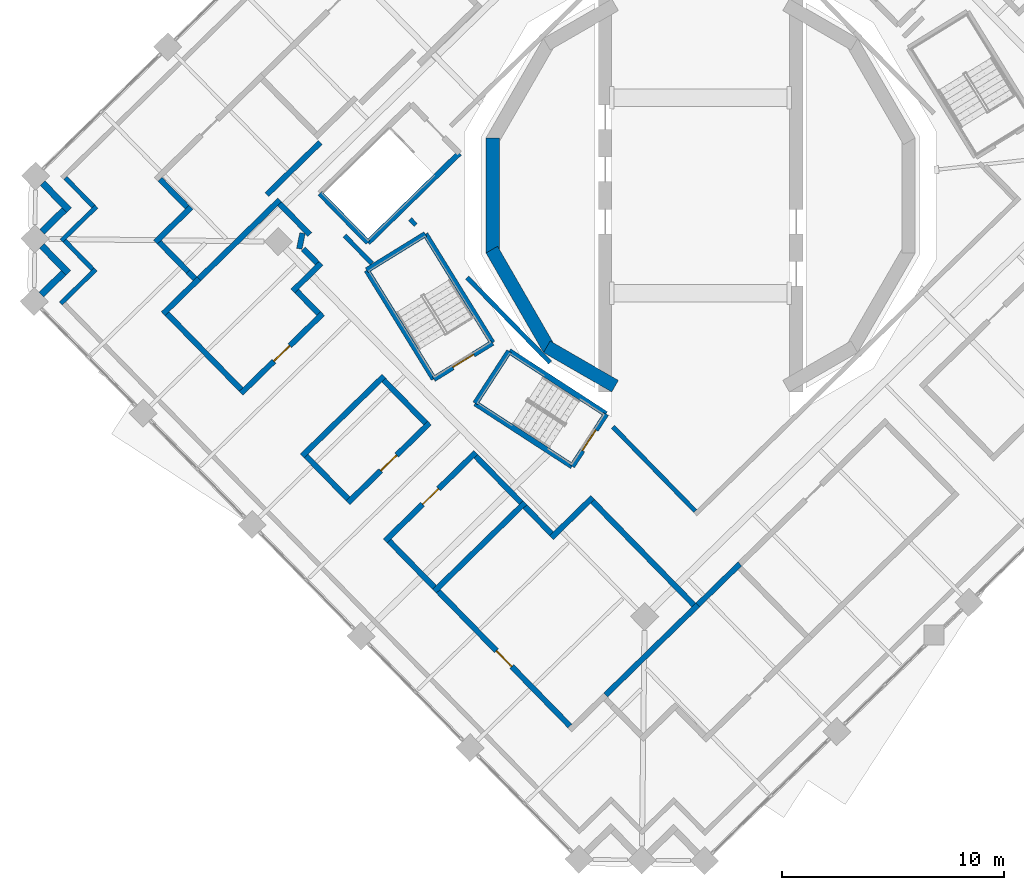
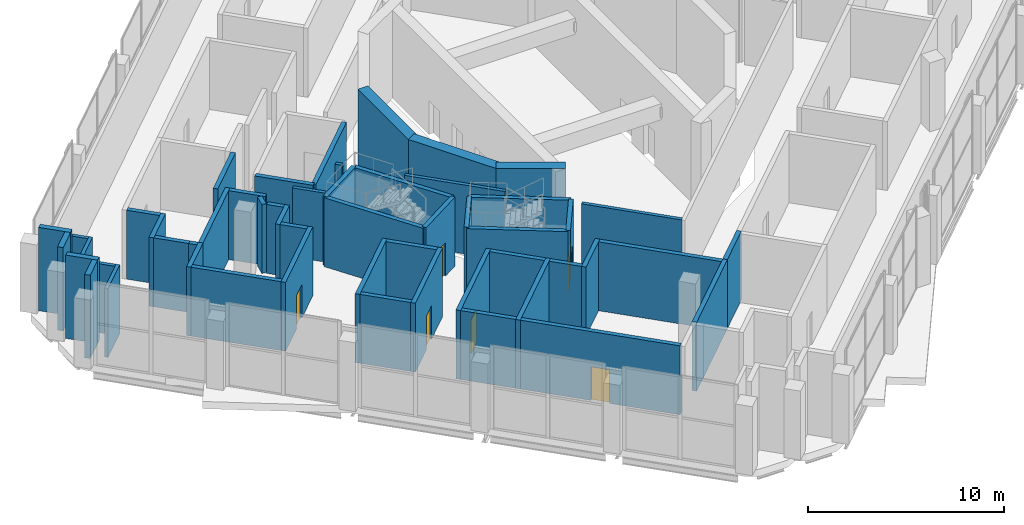
# One storey, part 13 of 20: 53 walls, 6 doors, 6 openings.
"""IFC4 building model written with IfcOpenShell, lengths in metres."""

from ifc_helpers import new_model, si_unit, direction, frame, frame_2d, origin, place, context, subcontext, project, spatial, rectangle, extrude, material, layer, layer_set, type_object, element, fill, save


model = new_model("IFC4")

# Units and contexts
model_context = context("Model", 3, precision=1e-05, world=origin(), true_north=direction((0.0, 1.0)))
body_context = subcontext(model_context, "Body", "Model", "MODEL_VIEW")
ifc_project = project(units=[si_unit("LENGTHUNIT", "METRE"), si_unit("AREAUNIT", "SQUARE_METRE"), si_unit("VOLUMEUNIT", "CUBIC_METRE"), si_unit("PLANEANGLEUNIT", "RADIAN"), si_unit("MASSUNIT", "GRAM", prefix="KILO")], contexts=[model_context])

# Site, building, storey
site_placement = place(None, origin())
site = spatial("IfcSite", under=ifc_project, at=site_placement, CompositionType="ELEMENT")
building_placement = place(site_placement, origin())
building = spatial("IfcBuilding", under=site, at=building_placement, Name="Cantera Rosa Tower", CompositionType="ELEMENT")
storey_placement = place(building_placement, frame((0.0, 0.0, 245.0)))
storey = spatial("IfcBuildingStorey", under=building, at=storey_placement, Name="L54", CompositionType="ELEMENT", Elevation=245.0)

# Walls
ifc_material_1 = material(Name="Masonry blockwork", Category="masonry")
ifc_layer_1 = layer(ifc_material_1, 0.199951171875)
ifc_layer_set_1 = layer_set([ifc_layer_1], Name="Blockwork partition 200")
wall_type_1 = type_object("IfcWallType", Name="Blockwork partition 200", PredefinedType="PARTITIONING", material=ifc_layer_set_1)
wall_1_placement = place(storey_placement, frame((-0.236083984375, -14.211181640625, 0.0), z_axis=(0.0, 0.0, 1.0), x_axis=(-0.698822755017, 0.71529487421, 0.0)))
element("IfcWall", 1, at=wall_1_placement, inside=storey, type_object=wall_type_1, Name="Partition L54-5", PredefinedType="PARTITIONING", context=body_context, shape_type="SweptSolid", body=[
    extrude(rectangle(XDim=5.30615234375, YDim=0.199951171875, at=frame_2d((2.653076171875, 0.0))), origin(), (0.0, 0.0, 1.0), 4.300048828125),
])
wall_2_placement = place(storey_placement, frame((-6.76708984375, -7.526123046875, 0.0), z_axis=(0.0, 0.0, 1.0), x_axis=(-0.698865552603, 0.715253059682, 0.0)))
element("IfcWall", 2, at=wall_2_placement, inside=storey, type_object=wall_type_1, Name="Partition L54-7", PredefinedType="PARTITIONING", context=body_context, shape_type="SweptSolid", body=[
    extrude(rectangle(XDim=5.348388671875, YDim=0.199951171875, at=frame_2d((2.67431640625, 0.0))), origin(), (0.0, 0.0, 1.0), 4.300048828125),
])
wall_3_placement = place(storey_placement, frame((-12.8212890625, -1.32958984375, 0.0), z_axis=(0.0, 0.0, 1.0), x_axis=(-0.698699735465, 0.715415040142, 0.0)))
element("IfcWall", 3, at=wall_3_placement, inside=storey, type_object=wall_type_1, Name="Partition L54-8", PredefinedType="PARTITIONING", context=body_context, shape_type="SweptSolid", body=[
    extrude(rectangle(XDim=0.365234375, YDim=0.199951171875, at=frame_2d((0.1826171875, 0.0))), origin(), (0.0, 0.0, 1.0), 4.300048828125),
])
for number, where, z_axis, x_axis, name in (
    (4, (-27.33740234375, -0.4951171875, 0.0), (0.0, 0.0, 1.0), (-0.698784721194, 0.715332030197, 0.0), "Partition L54-102"),
    (5, (-27.3701171875, -3.323486328125, 0.0), (0.0, 0.0, 1.0), (-0.69885411507, 0.715264234986, 0.0), "Partition L54-106"),
):
    element("IfcWall", number, at=place(storey_placement, frame(where, z_axis=z_axis, x_axis=x_axis)), inside=storey, type_object=wall_type_1, Name=name, PredefinedType="PARTITIONING", context=body_context, shape_type="SweptSolid", body=[
        extrude(rectangle(XDim=1.800048828125, YDim=0.199951171875, at=frame_2d((0.89990234375, 0.0))), origin(), (0.0, 0.0, 1.0), 4.300048828125),
    ])
for number, where, z_axis, x_axis, name in (
    (6, (-28.802490234375, -4.8623046875, 0.0), (0.0, 0.0, 1.0), (0.715325866743, 0.698791030543, 0.0), "Partition L54-110"),
    (7, (-28.76953125, -2.0341796875, 0.0), (0.0, 0.0, 1.0), (0.715325866743, 0.698791030543, 0.0), "Partition L54-112"),
):
    element("IfcWall", number, at=place(storey_placement, frame(where, z_axis=z_axis, x_axis=x_axis)), inside=storey, type_object=wall_type_1, Name=name, PredefinedType="PARTITIONING", context=body_context, shape_type="SweptSolid", body=[
        extrude(rectangle(XDim=2.199951171875, YDim=0.199951171875, at=frame_2d((1.10009765625, 0.0))), origin(), (0.0, 0.0, 1.0), 4.300048828125),
    ])
wall_4_placement = place(storey_placement, frame((-14.802978515625, -3.056884765625, 0.0), z_axis=(0.0, 0.0, 1.0), x_axis=(-0.698830805583, 0.715287008947, 0.0)))
element("IfcWall", 8, at=wall_4_placement, inside=storey, type_object=wall_type_1, Name="Partition L54-123", PredefinedType="PARTITIONING", context=body_context, shape_type="SweptSolid", body=[
    extrude(rectangle(XDim=1.750732421875, YDim=0.199951171875, at=frame_2d((0.87548828125, 0.0))), origin(), (0.0, 0.0, 1.0), 4.300048828125),
])
ifc_material_2 = material(Name="Hollow clay masonry with cantera stone cladding", Category="masonry")
ifc_layer_2 = layer(ifc_material_2, 0.300048828125)
ifc_layer_set_2 = layer_set([ifc_layer_2], Name="EW-LOGGIA 300")
wall_type_2 = type_object("IfcWallType", Name="EW-LOGGIA 300", PredefinedType="SOLIDWALL", material=ifc_layer_set_2)
wall_5_placement = place(storey_placement, frame((-29.623291015625, 0.556884765625, 0.0), z_axis=(0.0, 0.0, 1.0), x_axis=(0.69880105094, -0.715316077832, 0.0)))
element("IfcWall", 9, at=wall_5_placement, inside=storey, type_object=wall_type_2, Name="EN-L54-W12a", PredefinedType="SOLIDWALL", context=body_context, shape_type="SweptSolid", body=[
    extrude(rectangle(XDim=1.699951171875, YDim=0.300048828125, at=frame_2d((0.85009765625, 0.0))), origin(), (0.0, 0.0, 1.0), 5.199951171875),
])
wall_6_placement = place(storey_placement, frame((-28.6474609375, -0.65673828125, 0.0), z_axis=(0.0, 0.0, 1.0), x_axis=(-0.715341715727, -0.698774806172, 0.0)))
element("IfcWall", 10, at=wall_6_placement, inside=storey, type_object=wall_type_2, Name="EN-L54-W12b", PredefinedType="SOLIDWALL", context=body_context, shape_type="SweptSolid", body=[
    extrude(rectangle(XDim=1.39990234375, YDim=0.300048828125, at=frame_2d((0.699951171875, 0.0))), origin(), (0.0, 0.0, 1.0), 5.199951171875),
])
wall_7_placement = place(storey_placement, frame((-29.65625, -2.271484375, 0.0), z_axis=(0.0, 0.0, 1.0), x_axis=(0.698872839675, -0.715245939495, 0.0)))
element("IfcWall", 11, at=wall_7_placement, inside=storey, type_object=wall_type_2, Name="EN-L54-W13a", PredefinedType="SOLIDWALL", context=body_context, shape_type="SweptSolid", body=[
    extrude(rectangle(XDim=1.699951171875, YDim=0.300048828125, at=frame_2d((0.85009765625, 0.0))), origin(), (0.0, 0.0, 1.0), 5.199951171875),
])
wall_8_placement = place(storey_placement, frame((-28.680419921875, -3.48486328125, 0.0), z_axis=(0.0, 0.0, 1.0), x_axis=(-0.71516937164, -0.698951192766, 0.0)))
element("IfcWall", 12, at=wall_8_placement, inside=storey, type_object=wall_type_2, Name="EN-L54-W13b", PredefinedType="SOLIDWALL", context=body_context, shape_type="SweptSolid", body=[
    extrude(rectangle(XDim=1.39990234375, YDim=0.300048828125, at=frame_2d((0.699951171875, 0.0))), origin(), (0.0, 0.0, 1.0), 5.199951171875),
])
ifc_material_3 = material(Name="Masonry blockwork", Category="masonry")
ifc_layer_3 = layer(ifc_material_3, 0.25)
ifc_layer_set_3 = layer_set([ifc_layer_3], Name="Fire-rated wall 250")
wall_type_3 = type_object("IfcWallType", Name="Fire-rated wall 250", PredefinedType="PARTITIONING", material=ifc_layer_set_3)
wall_9_placement = place(storey_placement, frame((-22.760986328125, -3.748291015625, 0.0), z_axis=(0.0, 0.0, 1.0), x_axis=(-0.69890133384, 0.715218096497, 0.0)))
element("IfcWall", 13, at=wall_9_placement, inside=storey, type_object=wall_type_3, Name="Fire wall L54-13", PredefinedType="PARTITIONING", context=body_context, shape_type="SweptSolid", body=[
    extrude(rectangle(XDim=0.448974609375, YDim=0.25, at=frame_2d((0.224609375, 0.0))), origin(), (0.0, 0.0, 1.0), 4.300048828125),
])
wall_10_placement = place(storey_placement, frame((-23.07470703125, -3.42724609375, 0.0), z_axis=(0.0, 0.0, 1.0), x_axis=(-0.698816426818, 0.715301056626, 0.0)))
element("IfcWall", 14, at=wall_10_placement, inside=storey, type_object=wall_type_3, Name="Fire wall L54-14", PredefinedType="PARTITIONING", context=body_context, shape_type="SweptSolid", body=[
    extrude(rectangle(XDim=1.851318359375, YDim=0.25, at=frame_2d((0.92578125, 0.0))), origin(), (0.0, 0.0, 1.0), 4.300048828125),
])
wall_11_placement = place(storey_placement, frame((-24.544921875, -2.10107421875, 0.0), z_axis=(0.0, 0.0, 1.0), x_axis=(0.71530553668, 0.698811841053, 0.0)))
element("IfcWall", 15, at=wall_11_placement, inside=storey, type_object=wall_type_3, Name="Fire wall L54-15", PredefinedType="PARTITIONING", context=body_context, shape_type="SweptSolid", body=[
    extrude(rectangle(XDim=2.25, YDim=0.25, at=frame_2d((1.125, 0.0))), origin(), (0.0, 0.0, 1.0), 4.300048828125),
])
wall_12_placement = place(storey_placement, frame((-23.1123046875, -0.526611328125, 0.0), z_axis=(0.0, 0.0, 1.0), x_axis=(-0.698898891865, 0.715220482753, 0.0)))
element("IfcWall", 16, at=wall_12_placement, inside=storey, type_object=wall_type_3, Name="Fire wall L54-18", PredefinedType="PARTITIONING", context=body_context, shape_type="SweptSolid", body=[
    extrude(rectangle(XDim=1.75, YDim=0.25, at=frame_2d((0.875, 0.0))), origin(), (0.0, 0.0, 1.0), 4.300048828125),
])
wall_13_placement = place(storey_placement, frame((-19.527099609375, 0.038818359375, 0.0), z_axis=(0.0, 0.0, 1.0), x_axis=(0.715298534346, 0.698819008587, 0.0)))
element("IfcWall", 17, at=wall_13_placement, inside=storey, type_object=wall_type_3, Name="Fire wall L54-25", PredefinedType="PARTITIONING", context=body_context, shape_type="SweptSolid", body=[
    extrude(rectangle(XDim=3.363037109375, YDim=0.25, at=frame_2d((1.681640625, 0.0))), origin(), (0.0, 0.0, 1.0), 4.300048828125),
])
wall_14_placement = place(storey_placement, frame((-17.592041015625, -1.7626953125, 0.0), z_axis=(0.0, 0.0, 1.0), x_axis=(-0.698887640038, 0.715231477636, 0.0)))
element("IfcWall", 18, at=wall_14_placement, inside=storey, type_object=wall_type_3, Name="Fire wall L54-27", PredefinedType="PARTITIONING", context=body_context, shape_type="SweptSolid", body=[
    extrude(rectangle(XDim=1.94189453125, YDim=0.25, at=frame_2d((0.970947265625, 0.0))), origin(), (0.0, 0.0, 1.0), 4.300048828125),
])
wall_15_placement = place(storey_placement, frame((-24.193603515625, -5.32275390625, 0.0), z_axis=(0.0, 0.0, 1.0), x_axis=(0.71525129782, 0.698867355774, 0.0)))
element("IfcWall", 19, at=wall_15_placement, inside=storey, type_object=wall_type_3, Name="Fire wall L54-28", PredefinedType="PARTITIONING", context=body_context, shape_type="SweptSolid", body=[
    extrude(rectangle(XDim=2.25, YDim=0.25, at=frame_2d((1.125, 0.0))), origin(), (0.0, 0.0, 1.0), 4.300048828125),
])
wall_16_placement = place(storey_placement, frame((-22.584228515625, -3.750244140625, 0.0), z_axis=(0.0, 0.0, 1.0), x_axis=(0.715317012607, 0.698800094072, 0.0)))
element("IfcWall", 20, at=wall_16_placement, inside=storey, type_object=wall_type_3, Name="Fire wall L54-29", PredefinedType="PARTITIONING", context=body_context, shape_type="SweptSolid", body=[
    extrude(rectangle(XDim=5.084716796875, YDim=0.25, at=frame_2d((2.54248046875, 0.0))), origin(), (0.0, 0.0, 1.0), 4.300048828125),
])
wall_17_placement = place(storey_placement, frame((-4.27490234375, -22.49072265625, 0.0), z_axis=(0.0, 0.0, 1.0), x_axis=(0.715288096064, 0.698829692865, 0.0)))
element("IfcWall", 21, at=wall_17_placement, inside=storey, type_object=wall_type_3, Name="Fire wall L54-57", PredefinedType="PARTITIONING", context=body_context, shape_type="SweptSolid", body=[
    extrude(rectangle(XDim=5.800048828125, YDim=0.25, at=frame_2d((2.89990234375, 0.0))), origin(), (0.0, 0.0, 1.0), 4.300048828125),
])
wall_18_placement = place(storey_placement, frame((-0.126220703125, -18.4375, 0.0), z_axis=(0.0, 0.0, 1.0), x_axis=(0.715304418889, 0.698812985224, 0.0)))
element("IfcWall", 22, at=wall_18_placement, inside=storey, type_object=wall_type_3, Name="Fire wall L54-58", PredefinedType="PARTITIONING", context=body_context, shape_type="SweptSolid", body=[
    extrude(rectangle(XDim=2.64990234375, YDim=0.25, at=frame_2d((1.324951171875, 0.0))), origin(), (0.0, 0.0, 1.0), 4.300048828125),
])

# Wall, opening, door
wall_19_placement = place(storey_placement, frame((-14.2001953125, -15.55126953125, 0.0), z_axis=(0.0, 0.0, 1.0), x_axis=(0.715274698312, 0.698843405889, 0.0)))
wall_19 = element("IfcWall", 23, at=wall_19_placement, inside=storey, type_object=wall_type_3, Name="Fire wall L54-70", PredefinedType="PARTITIONING", context=body_context, shape_type="SweptSolid", body=[
    extrude(rectangle(XDim=5.70556640625, YDim=0.25, at=frame_2d((2.852783203125, 0.0))), origin(), (0.0, 0.0, 1.0), 4.300048828125),
])
opening_1_placement = place(wall_19_placement, frame((2.352783203125, 0.0, 0.0)))
opening_1 = element("IfcOpeningElement", 24, at=opening_1_placement, cuts=wall_19, Name="Opening L54-014", PredefinedType="OPENING", context=body_context, shape_type="SweptSolid", body=[
    extrude(rectangle(XDim=1.0, YDim=2.10009765625, at=frame_2d((0.5, 1.050048828125))), frame((0.0, 0.135009765625, 0.0), z_axis=(0.0, -1.0, 0.0), x_axis=(1.0, 0.0, 0.0)), (0.0, 0.0, 1.0), 0.27001953125),
])
ifc_material_4 = material(Name="Steel S355J2 (EN 10025-2)", Category="steel")
door_type_1 = type_object("IfcDoorType", Name="Fire door 1000x2100", OperationType="NOTDEFINED", PredefinedType="DOOR", material=ifc_material_4)
door_1_placement = place(opening_1_placement, origin())
door_1 = element("IfcDoor", 25, at=door_1_placement, inside=storey, type_object=door_type_1, Name="Door L54-014", OverallHeight=2.10009765625, OverallWidth=1.0, PredefinedType="DOOR", context=body_context, shape_type="SweptSolid", body=[
    extrude(rectangle(XDim=1.0, YDim=2.10009765625, at=frame_2d((0.5, 1.050048828125))), frame((0.0, 0.02490234375, 0.0), z_axis=(0.0, -1.0, 0.0), x_axis=(1.0, 0.0, 0.0)), (0.0, 0.0, 1.0), 0.050048828125),
])
fill(opening_1, door_1)

wall_20_placement = place(storey_placement, frame((-15.87744140625, -13.834716796875, 0.0), z_axis=(0.0, 0.0, 1.0), x_axis=(0.715256843691, 0.698861679843, 0.0)))
wall_20 = element("IfcWall", 26, at=wall_20_placement, inside=storey, type_object=wall_type_3, Name="Fire wall L54-74", PredefinedType="PARTITIONING", context=body_context, shape_type="SweptSolid", body=[
    extrude(rectangle(XDim=5.137451171875, YDim=0.25, at=frame_2d((2.56884765625, 0.0))), origin(), (0.0, 0.0, 1.0), 4.300048828125),
])
opening_2_placement = place(wall_20_placement, frame((2.068603515625, 0.0, 0.0)))
opening_2 = element("IfcOpeningElement", 27, at=opening_2_placement, cuts=wall_20, Name="Opening L54-015", PredefinedType="OPENING", context=body_context, shape_type="SweptSolid", body=[
    extrude(rectangle(XDim=1.0, YDim=2.10009765625, at=frame_2d((0.5, 1.050048828125))), frame((0.0, 0.135009765625, 0.0), z_axis=(0.0, -1.0, 0.0), x_axis=(1.0, 0.0, 0.0)), (0.0, 0.0, 1.0), 0.27001953125),
])
door_2_placement = place(opening_2_placement, origin())
door_2 = element("IfcDoor", 28, at=door_2_placement, inside=storey, type_object=door_type_1, Name="Door L54-015", OverallHeight=2.10009765625, OverallWidth=1.0, PredefinedType="DOOR", context=body_context, shape_type="SweptSolid", body=[
    extrude(rectangle(XDim=1.0, YDim=2.10009765625, at=frame_2d((0.5, 1.050048828125))), frame((0.0, 0.02490234375, 0.0), z_axis=(0.0, -1.0, 0.0), x_axis=(1.0, 0.0, 0.0)), (0.0, 0.0, 1.0), 0.050048828125),
])
fill(opening_2, door_2)

# Walls
wall_21_placement = place(storey_placement, frame((-11.9873046875, -17.81640625, 0.0), z_axis=(0.0, 0.0, 1.0), x_axis=(0.715295595137, 0.698822017095, 0.0)))
element("IfcWall", 29, at=wall_21_placement, inside=storey, type_object=wall_type_3, Name="Fire wall L54-84", PredefinedType="PARTITIONING", context=body_context, shape_type="SweptSolid", body=[
    extrude(rectangle(XDim=5.705810546875, YDim=0.25, at=frame_2d((2.85302734375, 0.0))), origin(), (0.0, 0.0, 1.0), 4.300048828125),
])
wall_22_placement = place(storey_placement, frame((-6.712158203125, -15.22998046875, 0.0), z_axis=(0.0, 0.0, 1.0), x_axis=(-0.698856661259, 0.715261747204, 0.0)))
element("IfcWall", 30, at=wall_22_placement, inside=storey, type_object=wall_type_3, Name="Fire wall L54-85", PredefinedType="PARTITIONING", context=body_context, shape_type="SweptSolid", body=[
    extrude(rectangle(XDim=1.71142578125, YDim=0.25, at=frame_2d((0.855712890625, 0.0))), origin(), (0.0, 0.0, 1.0), 4.300048828125),
])
wall_23_placement = place(storey_placement, frame((-8.0830078125, -13.826904296875, 0.0), z_axis=(0.0, 0.0, 1.0), x_axis=(-0.698813244506, 0.715304165585, 0.0)))
element("IfcWall", 31, at=wall_23_placement, inside=storey, type_object=wall_type_3, Name="Fire wall L54-86", PredefinedType="PARTITIONING", context=body_context, shape_type="SweptSolid", body=[
    extrude(rectangle(XDim=2.91650390625, YDim=0.25, at=frame_2d((1.458251953125, 0.0))), origin(), (0.0, 0.0, 1.0), 4.300048828125),
])
wall_24_placement = place(storey_placement, frame((-6.714111328125, -15.40673828125, 0.0), z_axis=(0.0, 0.0, 1.0), x_axis=(0.715293034493, 0.698824638093, 0.0)))
element("IfcWall", 32, at=wall_24_placement, inside=storey, type_object=wall_type_3, Name="Fire wall L54-87", PredefinedType="PARTITIONING", context=body_context, shape_type="SweptSolid", body=[
    extrude(rectangle(XDim=2.59423828125, YDim=0.25, at=frame_2d((1.297119140625, 0.0))), origin(), (0.0, 0.0, 1.0), 4.300048828125),
])
wall_25_placement = place(storey_placement, frame((-0.302978515625, -18.435546875, 0.0), z_axis=(0.0, 0.0, 1.0), x_axis=(-0.698823277397, 0.715294363858, 0.0)))
element("IfcWall", 33, at=wall_25_placement, inside=storey, type_object=wall_type_3, Name="Fire wall L54-88", PredefinedType="PARTITIONING", context=body_context, shape_type="SweptSolid", body=[
    extrude(rectangle(XDim=6.521728515625, YDim=0.25, at=frame_2d((3.2607421875, 0.0))), origin(), (0.0, 0.0, 1.0), 4.300048828125),
])

# Wall, opening, door
wall_26_placement = place(storey_placement, frame((-5.882080078125, -23.886474609375, 0.0), z_axis=(0.0, 0.0, 1.0), x_axis=(-0.698828227641, 0.715289527571, 0.0)))
wall_26 = element("IfcWall", 34, at=wall_26_placement, inside=storey, type_object=wall_type_3, Name="Fire wall L54-89", PredefinedType="PARTITIONING", context=body_context, shape_type="SweptSolid", body=[
    extrude(rectangle(XDim=8.4833984375, YDim=0.25, at=frame_2d((4.24169921875, 0.0))), origin(), (0.0, 0.0, 1.0), 4.300048828125),
])
opening_3_placement = place(wall_26_placement, frame((3.74169921875, 0.0, 0.0)))
opening_3 = element("IfcOpeningElement", 35, at=opening_3_placement, cuts=wall_26, Name="Opening L54-013", PredefinedType="OPENING", context=body_context, shape_type="SweptSolid", body=[
    extrude(rectangle(XDim=1.0, YDim=2.10009765625, at=frame_2d((0.5, 1.050048828125))), frame((0.0, 0.135009765625, 0.0), z_axis=(0.0, -1.0, 0.0), x_axis=(1.0, 0.0, 0.0)), (0.0, 0.0, 1.0), 0.27001953125),
])
door_3_placement = place(opening_3_placement, origin())
door_3 = element("IfcDoor", 36, at=door_3_placement, inside=storey, type_object=door_type_1, Name="Door L54-013", OverallHeight=2.10009765625, OverallWidth=1.0, PredefinedType="DOOR", context=body_context, shape_type="SweptSolid", body=[
    extrude(rectangle(XDim=1.0, YDim=2.10009765625, at=frame_2d((0.5, 1.050048828125))), frame((0.0, 0.02490234375, 0.0), z_axis=(0.0, -1.0, 0.0), x_axis=(1.0, 0.0, 0.0)), (0.0, 0.0, 1.0), 0.050048828125),
])
fill(opening_3, door_3)

# Walls
wall_27_placement = place(storey_placement, frame((-11.985107421875, -17.6396484375, 0.0), z_axis=(0.0, 0.0, 1.0), x_axis=(-0.698814231837, 0.715303201015, 0.0)))
element("IfcWall", 37, at=wall_27_placement, inside=storey, type_object=wall_type_3, Name="Fire wall L54-90", PredefinedType="PARTITIONING", context=body_context, shape_type="SweptSolid", body=[
    extrude(rectangle(XDim=2.916748046875, YDim=0.25, at=frame_2d((1.45849609375, 0.0))), origin(), (0.0, 0.0, 1.0), 4.300048828125),
])
wall_28_placement = place(storey_placement, frame((-15.87548828125, -13.65771484375, 0.0), z_axis=(0.0, 0.0, 1.0), x_axis=(-0.698817127374, 0.715300372214, 0.0)))
element("IfcWall", 38, at=wall_28_placement, inside=storey, type_object=wall_type_3, Name="Fire wall L54-91", PredefinedType="PARTITIONING", context=body_context, shape_type="SweptSolid", body=[
    extrude(rectangle(XDim=2.69580078125, YDim=0.25, at=frame_2d((1.347900390625, 0.0))), origin(), (0.0, 0.0, 1.0), 4.300048828125),
])
wall_29_placement = place(storey_placement, frame((-20.687744140625, -8.732177734375, 0.0), z_axis=(0.0, 0.0, 1.0), x_axis=(-0.698833448627, 0.7152844267, 0.0)))
element("IfcWall", 39, at=wall_29_placement, inside=storey, type_object=wall_type_3, Name="Fire wall L54-92", PredefinedType="PARTITIONING", context=body_context, shape_type="SweptSolid", body=[
    extrude(rectangle(XDim=4.763916015625, YDim=0.25, at=frame_2d((2.3818359375, 0.0))), origin(), (0.0, 0.0, 1.0), 4.300048828125),
])
wall_30_placement = place(storey_placement, frame((-17.93603515625, -11.7275390625, 0.0), z_axis=(0.0, 0.0, 1.0), x_axis=(0.715280598787, 0.698837366631, 0.0)))
element("IfcWall", 40, at=wall_30_placement, inside=storey, type_object=wall_type_3, Name="Fire wall L54-93", PredefinedType="PARTITIONING", context=body_context, shape_type="SweptSolid", body=[
    extrude(rectangle(XDim=5.13720703125, YDim=0.25, at=frame_2d((2.568603515625, 0.0))), origin(), (0.0, 0.0, 1.0), 4.300048828125),
])
wall_31_placement = place(storey_placement, frame((-12.379638671875, -10.242431640625, 0.0), z_axis=(0.0, 0.0, 1.0), x_axis=(-0.698817127374, 0.715300372214, 0.0)))
element("IfcWall", 41, at=wall_31_placement, inside=storey, type_object=wall_type_3, Name="Fire wall L54-94", PredefinedType="PARTITIONING", context=body_context, shape_type="SweptSolid", body=[
    extrude(rectangle(XDim=2.69580078125, YDim=0.25, at=frame_2d((1.347900390625, 0.0))), origin(), (0.0, 0.0, 1.0), 4.300048828125),
])
wall_32_placement = place(storey_placement, frame((-17.19189453125, -5.31689453125, 0.0), z_axis=(0.0, 0.0, 1.0), x_axis=(-0.698790770759, 0.715326120523, 0.0)))
element("IfcWall", 42, at=wall_32_placement, inside=storey, type_object=wall_type_3, Name="Fire wall L54-95", PredefinedType="PARTITIONING", context=body_context, shape_type="SweptSolid", body=[
    extrude(rectangle(XDim=1.41748046875, YDim=0.25, at=frame_2d((0.708740234375, 0.0))), origin(), (0.0, 0.0, 1.0), 4.300048828125),
])
wall_33_placement = place(storey_placement, frame((-18.066162109375, -2.400634765625, 0.0), z_axis=(0.0, 0.0, 1.0), x_axis=(0.202065633051, 0.979371982415, 0.0)))
element("IfcWall", 43, at=wall_33_placement, inside=storey, type_object=wall_type_3, Name="Fire wall L54-96", PredefinedType="PARTITIONING", context=body_context, shape_type="SweptSolid", body=[
    extrude(rectangle(XDim=0.7177734375, YDim=0.25, at=frame_2d((0.35888671875, 0.0))), origin(), (0.0, 0.0, 1.0), 4.300048828125),
])
wall_34_placement = place(storey_placement, frame((-17.25732421875, -3.0498046875, 0.0), z_axis=(0.0, 0.0, 1.0), x_axis=(-0.698691344701, 0.715423234764, 0.0)))
element("IfcWall", 44, at=wall_34_placement, inside=storey, type_object=wall_type_3, Name="Fire wall L54-97", PredefinedType="PARTITIONING", context=body_context, shape_type="SweptSolid", body=[
    extrude(rectangle(XDim=0.904541015625, YDim=0.25, at=frame_2d((0.4521484375, 0.0))), origin(), (0.0, 0.0, 1.0), 4.300048828125),
])
wall_35_placement = place(storey_placement, frame((-18.359130859375, -4.30078125, 0.0), z_axis=(0.0, 0.0, 1.0), x_axis=(0.715322191292, 0.698794792944, 0.0)))
element("IfcWall", 45, at=wall_35_placement, inside=storey, type_object=wall_type_3, Name="Fire wall L54-98", PredefinedType="PARTITIONING", context=body_context, shape_type="SweptSolid", body=[
    extrude(rectangle(XDim=1.787353515625, YDim=0.25, at=frame_2d((0.8935546875, 0.0))), origin(), (0.0, 0.0, 1.0), 4.300048828125),
])

# Wall, opening, door
wall_36_placement = place(storey_placement, frame((-20.689697265625, -8.908935546875, 0.0), z_axis=(0.0, 0.0, 1.0), x_axis=(0.715280598787, 0.698837366631, 0.0)))
wall_36 = element("IfcWall", 46, at=wall_36_placement, inside=storey, type_object=wall_type_3, Name="Fire wall L54-99", PredefinedType="PARTITIONING", context=body_context, shape_type="SweptSolid", body=[
    extrude(rectangle(XDim=5.13720703125, YDim=0.25, at=frame_2d((2.568603515625, 0.0))), origin(), (0.0, 0.0, 1.0), 4.300048828125),
])
opening_4_placement = place(wall_36_placement, frame((2.068603515625, 0.0, 0.0)))
opening_4 = element("IfcOpeningElement", 47, at=opening_4_placement, cuts=wall_36, Name="Opening L54-016", PredefinedType="OPENING", context=body_context, shape_type="SweptSolid", body=[
    extrude(rectangle(XDim=1.0, YDim=2.10009765625, at=frame_2d((0.5, 1.050048828125))), frame((0.0, 0.135009765625, 0.0), z_axis=(0.0, -1.0, 0.0), x_axis=(1.0, 0.0, 0.0)), (0.0, 0.0, 1.0), 0.27001953125),
])
door_4_placement = place(opening_4_placement, origin())
door_4 = element("IfcDoor", 48, at=door_4_placement, inside=storey, type_object=door_type_1, Name="Door L54-016", OverallHeight=2.10009765625, OverallWidth=1.0, PredefinedType="DOOR", context=body_context, shape_type="SweptSolid", body=[
    extrude(rectangle(XDim=1.0, YDim=2.10009765625, at=frame_2d((0.5, 1.050048828125))), frame((0.0, 0.02490234375, 0.0), z_axis=(0.0, -1.0, 0.0), x_axis=(1.0, 0.0, 0.0)), (0.0, 0.0, 1.0), 0.050048828125),
])
fill(opening_4, door_4)

# Walls
ifc_material_5 = material(Name="Concrete C50/60", Category="concrete")
ifc_layer_4 = layer(ifc_material_5, 0.60009765625)
ifc_layer_set_4 = layer_set([ifc_layer_4], Name="RC CORE WALL 600 C50/60")
wall_type_4 = type_object("IfcWallType", Name="RC CORE WALL 600 C50/60", PredefinedType="SHEAR", material=ifc_layer_set_4)
wall_37_placement = place(storey_placement, frame((-3.85009765625, -8.584228515625, 0.0), z_axis=(0.0, 0.0, 1.0), x_axis=(-0.866039982607, 0.499974747889, 0.0)))
element("IfcWall", 49, at=wall_37_placement, inside=storey, type_object=wall_type_4, Name="CW-W1 L54", PredefinedType="SHEAR", context=body_context, shape_type="SweptSolid", body=[
    extrude(rectangle(XDim=3.546142578125, YDim=0.60009765625, at=frame_2d((1.77294921875, 0.0))), origin(), (0.0, 0.0, 1.0), 5.5),
])
for number, where, z_axis, x_axis, name in (
    (50, (-6.811279296875, -6.921142578125, 0.0), (0.0, 0.0, 1.0), (-0.499989188378, 0.866031645787, 0.0), "CW-W2 L54"),
    (51, (-9.359375, -2.588134765625, 0.0), (0.0, 0.0, 1.0), (0.0, 1.0, 0.0), "CW-W3 L54"),
):
    element("IfcWall", number, at=place(storey_placement, frame(where, z_axis=z_axis, x_axis=x_axis)), inside=storey, type_object=wall_type_4, Name=name, PredefinedType="SHEAR", context=body_context, shape_type="SweptSolid", body=[
        extrude(rectangle(XDim=5.17626953125, YDim=0.60009765625, at=frame_2d((2.588134765625, 0.0))), origin(), (0.0, 0.0, 1.0), 5.5),
    ])

# Wall, opening, door
ifc_material_6 = material(Name="Concrete C50/60", Category="concrete")
ifc_layer_5 = layer(ifc_material_6, 0.25)
ifc_layer_set_5 = layer_set([ifc_layer_5], Name="RC stair wall 250 C50/60")
wall_type_5 = type_object("IfcWallType", Name="RC stair wall 250", PredefinedType="SOLIDWALL", material=ifc_layer_set_5)
wall_38_placement = place(storey_placement, frame((-9.37158203125, -6.63330078125, 0.0), z_axis=(0.0, 0.0, 1.0), x_axis=(-0.851111635158, -0.52498474692, 0.0)))
wall_38 = element("IfcWall", 52, at=wall_38_placement, inside=storey, type_object=wall_type_5, Name="STAIR WALL ST-52 L54-11", PredefinedType="SOLIDWALL", context=body_context, shape_type="SweptSolid", body=[
    extrude(rectangle(XDim=3.10009765625, YDim=0.25, at=frame_2d((1.550048828125, 0.0))), origin(), (0.0, 0.0, 1.0), 4.300048828125),
])
opening_5_placement = place(wall_38_placement, frame((1.0, 0.0, 0.0)))
opening_5 = element("IfcOpeningElement", 53, at=opening_5_placement, cuts=wall_38, Name="Opening L54-ST-52", PredefinedType="OPENING", context=body_context, shape_type="SweptSolid", body=[
    extrude(rectangle(XDim=1.10009765625, YDim=2.10009765625, at=frame_2d((0.550048828125, 1.050048828125))), frame((0.0, 0.135009765625, 0.0), z_axis=(0.0, -1.0, 0.0), x_axis=(1.0, 0.0, 0.0)), (0.0, 0.0, 1.0), 0.27001953125),
])
ifc_material_7 = material(Name="Steel S355J2 (EN 10025-2)", Category="steel")
door_type_2 = type_object("IfcDoorType", Name="STAIR DOOR 1100x2100", OperationType="NOTDEFINED", PredefinedType="DOOR", material=ifc_material_7)
door_5_placement = place(opening_5_placement, origin())
door_5 = element("IfcDoor", 54, at=door_5_placement, inside=storey, type_object=door_type_2, Name="DOOR L54-ST-52", OperationType="NOTDEFINED", OverallHeight=2.10009765625, OverallWidth=1.10009765625, PredefinedType="DOOR", context=body_context, shape_type="SweptSolid", body=[
    extrude(rectangle(XDim=1.10009765625, YDim=2.10009765625, at=frame_2d((0.550048828125, 1.050048828125))), frame((0.0, 0.02490234375, 0.0), z_axis=(0.0, -1.0, 0.0), x_axis=(1.0, 0.0, 0.0)), (0.0, 0.0, 1.0), 0.050048828125),
])
fill(opening_5, door_5)

# Walls
wall_39_placement = place(storey_placement, frame((-12.010009765625, -8.2607421875, 0.0), z_axis=(0.0, 0.0, 1.0), x_axis=(-0.524959451453, 0.85112723745, 0.0)))
element("IfcWall", 55, at=wall_39_placement, inside=storey, type_object=wall_type_5, Name="STAIR WALL ST-52 L54-21", PredefinedType="SOLIDWALL", context=body_context, shape_type="SweptSolid", body=[
    extrude(rectangle(XDim=5.75, YDim=0.25, at=frame_2d((2.875, 0.0))), origin(), (0.0, 0.0, 1.0), 4.300048828125),
])
wall_40_placement = place(storey_placement, frame((-15.028564453125, -3.36669921875, 0.0), z_axis=(0.0, 0.0, 1.0), x_axis=(0.851111635158, 0.52498474692, 0.0)))
element("IfcWall", 56, at=wall_40_placement, inside=storey, type_object=wall_type_5, Name="STAIR WALL ST-52 L54-31", PredefinedType="SOLIDWALL", context=body_context, shape_type="SweptSolid", body=[
    extrude(rectangle(XDim=3.10009765625, YDim=0.25, at=frame_2d((1.550048828125, 0.0))), origin(), (0.0, 0.0, 1.0), 4.300048828125),
])
wall_41_placement = place(storey_placement, frame((-12.39013671875, -1.7392578125, 0.0), z_axis=(0.0, 0.0, 1.0), x_axis=(0.524959451453, -0.85112723745, 0.0)))
element("IfcWall", 57, at=wall_41_placement, inside=storey, type_object=wall_type_5, Name="STAIR WALL ST-52 L54-41", PredefinedType="SOLIDWALL", context=body_context, shape_type="SweptSolid", body=[
    extrude(rectangle(XDim=5.75, YDim=0.25, at=frame_2d((2.875, 0.0))), origin(), (0.0, 0.0, 1.0), 4.300048828125),
])

# Wall, opening, door
wall_42_placement = place(storey_placement, frame((-4.257080078125, -9.841796875, 0.0), z_axis=(0.0, 0.0, 1.0), x_axis=(-0.544599070782, -0.838696519668, 0.0)))
wall_42 = element("IfcWall", 58, at=wall_42_placement, inside=storey, type_object=wall_type_5, Name="STAIR WALL ST-53 L54-11", PredefinedType="SOLIDWALL", context=body_context, shape_type="SweptSolid", body=[
    extrude(rectangle(XDim=2.800048828125, YDim=0.25, at=frame_2d((1.39990234375, 0.0))), origin(), (0.0, 0.0, 1.0), 4.300048828125),
])
opening_6_placement = place(wall_42_placement, frame((0.85009765625, 0.0, 0.0)))
opening_6 = element("IfcOpeningElement", 59, at=opening_6_placement, cuts=wall_42, Name="Opening L54-ST-53", PredefinedType="OPENING", context=body_context, shape_type="SweptSolid", body=[
    extrude(rectangle(XDim=1.10009765625, YDim=2.10009765625, at=frame_2d((0.550048828125, 1.050048828125))), frame((0.0, 0.135009765625, 0.0), z_axis=(0.0, -1.0, 0.0), x_axis=(1.0, 0.0, 0.0)), (0.0, 0.0, 1.0), 0.27001953125),
])
door_6_placement = place(opening_6_placement, origin())
door_6 = element("IfcDoor", 60, at=door_6_placement, inside=storey, type_object=door_type_2, Name="DOOR L54-ST-53", OperationType="NOTDEFINED", OverallHeight=2.10009765625, OverallWidth=1.10009765625, PredefinedType="DOOR", context=body_context, shape_type="SweptSolid", body=[
    extrude(rectangle(XDim=1.10009765625, YDim=2.10009765625, at=frame_2d((0.550048828125, 1.050048828125))), frame((0.0, 0.02490234375, 0.0), z_axis=(0.0, -1.0, 0.0), x_axis=(1.0, 0.0, 0.0)), (0.0, 0.0, 1.0), 0.050048828125),
])
fill(opening_6, door_6)

# Walls
wall_43_placement = place(storey_placement, frame((-5.781982421875, -12.190185546875, 0.0), z_axis=(0.0, 0.0, 1.0), x_axis=(-0.838678456404, 0.544626887661, 0.0)))
element("IfcWall", 61, at=wall_43_placement, inside=storey, type_object=wall_type_5, Name="STAIR WALL ST-53 L54-21", PredefinedType="SOLIDWALL", context=body_context, shape_type="SweptSolid", body=[
    extrude(rectangle(XDim=5.199951171875, YDim=0.25, at=frame_2d((2.60009765625, 0.0))), origin(), (0.0, 0.0, 1.0), 4.300048828125),
])
wall_44_placement = place(storey_placement, frame((-10.14306640625, -9.358154296875, 0.0), z_axis=(0.0, 0.0, 1.0), x_axis=(0.544660398056, 0.838656694237, 0.0)))
element("IfcWall", 62, at=wall_44_placement, inside=storey, type_object=wall_type_5, Name="STAIR WALL ST-53 L54-31", PredefinedType="SOLIDWALL", context=body_context, shape_type="SweptSolid", body=[
    extrude(rectangle(XDim=2.80029296875, YDim=0.25, at=frame_2d((1.400146484375, 0.0))), origin(), (0.0, 0.0, 1.0), 4.300048828125),
])
wall_45_placement = place(storey_placement, frame((-8.617919921875, -7.009765625, 0.0), z_axis=(0.0, 0.0, 1.0), x_axis=(0.838664529169, -0.544648333802, 0.0)))
element("IfcWall", 63, at=wall_45_placement, inside=storey, type_object=wall_type_5, Name="STAIR WALL ST-53 L54-41", PredefinedType="SOLIDWALL", context=body_context, shape_type="SweptSolid", body=[
    extrude(rectangle(XDim=5.19970703125, YDim=0.25, at=frame_2d((2.599853515625, 0.0))), origin(), (0.0, 0.0, 1.0), 4.300048828125),
])
wall_46_placement = place(storey_placement, frame((-10.8603515625, 1.900390625, 0.0), z_axis=(0.0, 0.0, 1.0), x_axis=(-0.715295723364, -0.698821885846, 0.0)))
element("IfcWall", 64, at=wall_46_placement, inside=storey, type_object=wall_type_5, Name="STAIR WALL ST-43 L54-21", PredefinedType="SOLIDWALL", context=body_context, shape_type="SweptSolid", body=[
    extrude(rectangle(XDim=5.75, YDim=0.25, at=frame_2d((2.875, 0.0))), origin(), (0.0, 0.0, 1.0), 4.300048828125),
])
wall_47_placement = place(storey_placement, frame((-14.973388671875, -2.117919921875, 0.0), z_axis=(0.0, 0.0, 1.0), x_axis=(-0.698789198814, 0.715327656128, 0.0)))
element("IfcWall", 65, at=wall_47_placement, inside=storey, type_object=wall_type_5, Name="STAIR WALL ST-43 L54-31", PredefinedType="SOLIDWALL", context=body_context, shape_type="SweptSolid", body=[
    extrude(rectangle(XDim=3.10009765625, YDim=0.25, at=frame_2d((1.550048828125, 0.0))), origin(), (0.0, 0.0, 1.0), 4.300048828125),
])

save(model, "model.ifc")
